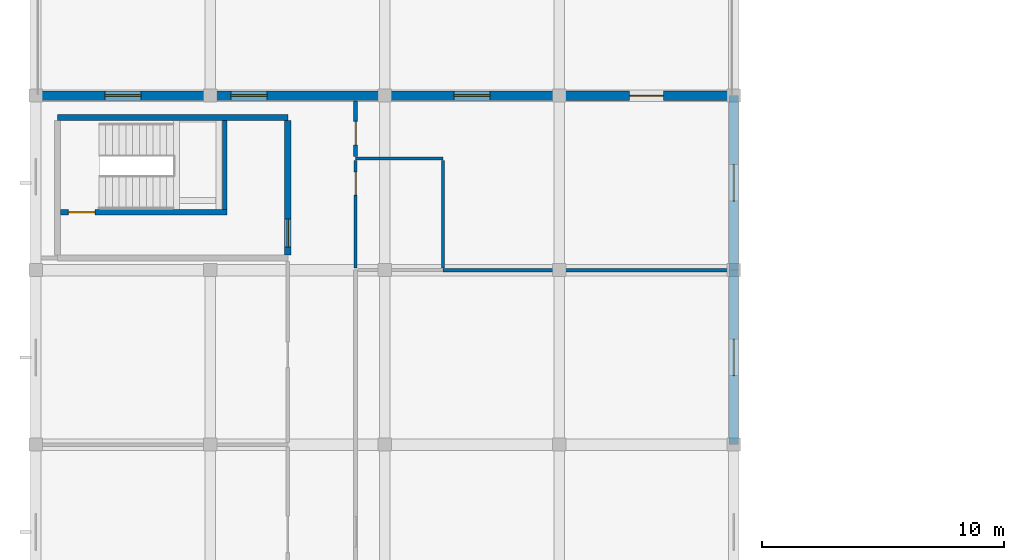
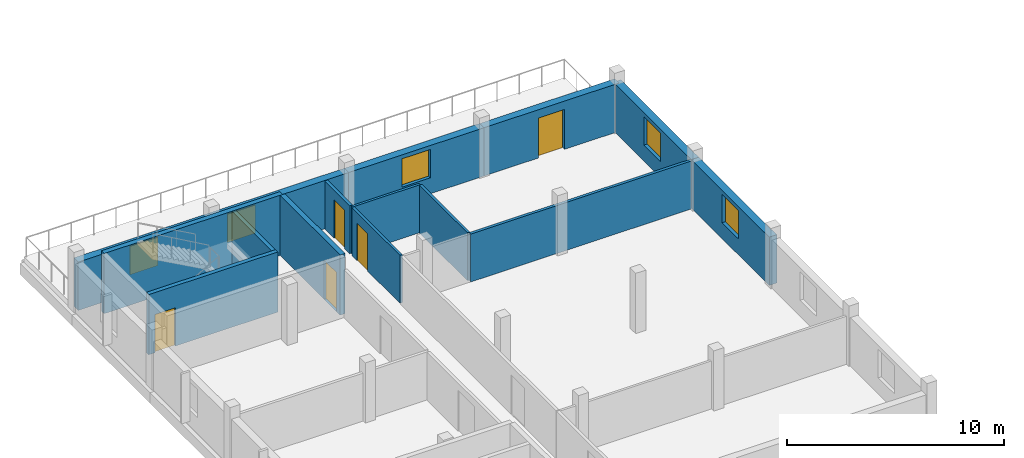
# One storey, part 73 of 84: 15 walls, 5 doors, 5 windows, 10 openings.
"""IFC4 building model written with IfcOpenShell, lengths in metres."""

import ifcopenshell
import ifcopenshell.guid

model = None  # the IFC model being written
_history = None  # IfcOwnerHistory: only IFC2X3 demands one
_inside = {}  # id of a spatial element -> (the spatial element, [elements in it])
_under = {}  # id of a project, library or spatial element -> (it, [spatial elements below it])
_declared = {}  # id of a project -> (the project, [libraries it declares])
_typed = {}  # id of a type object -> (the type object, [elements of that type])
_made_of = {}  # id of a material, layer set ... -> (it, [elements and type objects made of it])


def new_model(schema):
    """Start an empty IFC model of exactly this schema.

    Asked for "IFC4X3", IfcOpenShell would pick the latest addendum, in which some entities
    have other attributes; the version numbers below select the first issue.
    IFC2X3 requires an IfcOwnerHistory on every rooted entity: one is made here for all.
    """
    global model, _history
    if schema == "IFC4X3":
        model = ifcopenshell.file(schema_version=(4, 3, 0, 0))
    else:
        model = ifcopenshell.file(schema=schema)
    _inside.clear()
    _under.clear()
    _declared.clear()
    _typed.clear()
    _made_of.clear()
    _history = None
    if model.schema == "IFC2X3":
        org = make("IfcOrganization", Name="unknown")
        user = make(
            "IfcPersonAndOrganization",
            ThePerson=make("IfcPerson", FamilyName="unknown"),
            TheOrganization=org,
        )
        app = make(
            "IfcApplication",
            ApplicationDeveloper=org,
            Version="unknown",
            ApplicationFullName="unknown",
            ApplicationIdentifier="unknown",
        )
        _history = make(
            "IfcOwnerHistory",
            OwningUser=user,
            OwningApplication=app,
            ChangeAction="ADDED",
            CreationDate=0,
        )
    return model


def make(cls, **values):
    """One entity of the class cls with the attributes given. An attribute that is None is left unset."""
    return model.create_entity(
        cls, **{name: value for name, value in values.items() if value is not None}
    )


def rooted(cls, **values):
    """An entity with a GlobalId (a new one), such as an element, a storey or a relation."""
    return make(cls, GlobalId=ifcopenshell.guid.new(), OwnerHistory=_history, **values)


def si_unit(unit_type, name, prefix=None):
    """IfcSIUnit, for example si_unit("LENGTHUNIT", "METRE", prefix="MILLI")."""
    return make("IfcSIUnit", UnitType=unit_type, Prefix=prefix, Name=name)


def assignment(units):
    """IfcUnitAssignment: the units of a project."""
    return None if units is None else make("IfcUnitAssignment", Units=units)


def point(xyz):
    """IfcCartesianPoint."""
    return None if xyz is None else make("IfcCartesianPoint", Coordinates=xyz)


def direction(xyz):
    """IfcDirection."""
    return None if xyz is None else make("IfcDirection", DirectionRatios=xyz)


def frame(location, z_axis=None, x_axis=None):
    """IfcAxis2Placement3D, a coordinate frame: its origin and axes. An axis left out is left unset."""
    return make(
        "IfcAxis2Placement3D",
        Location=point(location),
        Axis=direction(z_axis),
        RefDirection=direction(x_axis),
    )


def frame_2d(location, x_axis=None):
    """IfcAxis2Placement2D, a coordinate frame in the plane: its origin and x axis."""
    return make(
        "IfcAxis2Placement2D", Location=point(location), RefDirection=direction(x_axis)
    )


def origin():
    """The frame at (0, 0, 0) with its axes left unset."""
    return frame((0.0, 0.0, 0.0))


def place(relative_to, where):
    """IfcLocalPlacement: puts the frame where relative to a parent placement (None: the world)."""
    return make(
        "IfcLocalPlacement", PlacementRelTo=relative_to, RelativePlacement=where
    )


def context(
    kind, dimensions, precision=None, world=None, true_north=None, identifier=None
):
    """IfcGeometricRepresentationContext, for example the 3D "Model" context."""
    return make(
        "IfcGeometricRepresentationContext",
        ContextIdentifier=identifier,
        ContextType=kind,
        CoordinateSpaceDimension=dimensions,
        Precision=precision,
        WorldCoordinateSystem=world,
        TrueNorth=true_north,
    )


def subcontext(parent, identifier, kind, view, scale=None):
    """IfcGeometricRepresentationSubContext, for example "Body" below "Model"."""
    return make(
        "IfcGeometricRepresentationSubContext",
        ContextIdentifier=identifier,
        ContextType=kind,
        ParentContext=parent,
        TargetScale=scale,
        TargetView=view,
    )


def project(units=None, contexts=None):
    """IfcProject with its units and contexts."""
    return rooted(
        "IfcProject",
        Name="project",
        RepresentationContexts=contexts,
        UnitsInContext=assignment(units),
    )


def spatial(cls, under=None, at=None, **own):
    """A site, building, storey or space (cls), placed at a placement, below another one or the project."""
    s = rooted(cls, ObjectPlacement=at, **own)
    if under is not None:
        _under.setdefault(under.id(), (under, []))[1].append(s)
    return s


def profile(cls, at=None, kind="AREA", **sizes):
    """A parametric profile (cls). Its sizes go by their IFC names, for example OverallWidth=200.0."""
    return make(cls, ProfileType=kind, Position=at, **sizes)


def rectangle(**sizes):
    """IfcRectangleProfileDef."""
    return profile("IfcRectangleProfileDef", **sizes)


def extrude(swept, where, along, depth):
    """IfcExtrudedAreaSolid: the profile swept, set in the frame where, extruded along a direction by depth."""
    return make(
        "IfcExtrudedAreaSolid",
        SweptArea=swept,
        Position=where,
        ExtrudedDirection=direction(along),
        Depth=depth,
    )


def shape(context_of_items, identifier, shape_type, items):
    """IfcShapeRepresentation: the items that make up one representation, for example the "Body"."""
    return make(
        "IfcShapeRepresentation",
        ContextOfItems=context_of_items,
        RepresentationIdentifier=identifier,
        RepresentationType=shape_type,
        Items=items,
    )


def material(Name=None, Category=None):
    """IfcMaterial."""
    return make("IfcMaterial", Name=Name, Category=Category)


def layer(
    of_material, thickness, ventilated=None, Name=None, Category=None, Priority=None
):
    """IfcMaterialLayer: one layer of a wall or slab, of a material (None: an air gap)."""
    return make(
        "IfcMaterialLayer",
        Material=of_material,
        LayerThickness=thickness,
        IsVentilated=ventilated,
        Name=Name,
        Category=Category,
        Priority=Priority,
    )


def layer_set(layers, Name=None):
    """IfcMaterialLayerSet."""
    return make("IfcMaterialLayerSet", MaterialLayers=layers, LayerSetName=Name)


def made_of(thing, what):
    """Note that an element or type object is made of a material, layer set ...; save() writes the relation."""
    if what is not None:
        _made_of.setdefault(what.id(), (what, []))[1].append(thing)
    return thing


def type_object(cls, material=None, **own):
    """A type object (cls), such as IfcWallType, which elements share."""
    return made_of(rooted(cls, **own), material)


def element(
    cls,
    number,
    at=None,
    inside=None,
    cuts=None,
    type_object=None,
    material=None,
    context=None,
    identifier="Body",
    shape_type=None,
    held_by="IfcProductDefinitionShape",
    body=None,
    shapes=None,
    **own,
):
    """One element of the class cls, such as IfcWall. Its Tag is "e" and its number.

    at: its placement. inside: the storey or other place that contains it. cuts: it is an
    opening in that element (IfcRelVoidsElement). A single representation is given by context,
    identifier, shape_type and body (its items); several are given by shapes. held_by: the class
    of the entity that holds the representations. save() writes the other relations.
    """
    e = rooted(cls, Tag="e%d" % number, ObjectPlacement=at, **own)
    if body is not None:
        shapes = [shape(context, identifier, shape_type, body)]
    if shapes is not None:
        e.Representation = make(held_by, Representations=shapes)
    if inside is not None:
        _inside.setdefault(inside.id(), (inside, []))[1].append(e)
    if cuts is not None:
        rooted(
            "IfcRelVoidsElement", RelatingBuildingElement=cuts, RelatedOpeningElement=e
        )
    if type_object is not None:
        _typed.setdefault(type_object.id(), (type_object, []))[1].append(e)
    return made_of(e, material)


def fill(opening, filler):
    """IfcRelFillsElement: the door or window that sits in an opening."""
    return rooted(
        "IfcRelFillsElement",
        RelatingOpeningElement=opening,
        RelatedBuildingElement=filler,
    )


def aggregate(whole, parts):
    """IfcRelAggregates: a whole, such as a stair, and the parts it consists of."""
    return rooted("IfcRelAggregates", RelatingObject=whole, RelatedObjects=parts)


def save(model, path):
    """Write the relations noted so far, then the file.

    IfcRelAggregates (storeys below a building ...), IfcRelContainedInSpatialStructure (elements
    in a storey), IfcRelDefinesByType, IfcRelAssociatesMaterial and IfcRelDeclares: one each for
    every whole, place, type object, material and project.
    """
    for whole, parts in _under.values():
        aggregate(whole, parts)
    for where, things in _inside.values():
        rooted(
            "IfcRelContainedInSpatialStructure",
            RelatedElements=things,
            RelatingStructure=where,
        )
    for kind, things in _typed.values():
        rooted("IfcRelDefinesByType", RelatedObjects=things, RelatingType=kind)
    for what, things in _made_of.values():
        rooted("IfcRelAssociatesMaterial", RelatedObjects=things, RelatingMaterial=what)
    for by, libraries in _declared.values():
        rooted("IfcRelDeclares", RelatingContext=by, RelatedDefinitions=libraries)
    model.write(path)


model = new_model("IFC4")

# Units and contexts
model_context = context("Model", 3, precision=1e-05, world=origin(), true_north=direction((0.0, 1.0)))
body_context = subcontext(model_context, "Body", "Model", "MODEL_VIEW")
ifc_project = project(units=[si_unit("LENGTHUNIT", "METRE"), si_unit("AREAUNIT", "SQUARE_METRE"), si_unit("VOLUMEUNIT", "CUBIC_METRE"), si_unit("PLANEANGLEUNIT", "RADIAN"), si_unit("MASSUNIT", "GRAM", prefix="KILO")], contexts=[model_context])

# Site, building, storey
site_placement = place(None, origin())
site = spatial("IfcSite", under=ifc_project, at=site_placement, CompositionType="ELEMENT")
building_placement = place(site_placement, origin())
building = spatial("IfcBuilding", under=site, at=building_placement, Name="Zornivar Specialist Clinic", CompositionType="ELEMENT")
storey_placement = place(building_placement, frame((0.0, 0.0, 12.300048828125)))
storey = spatial("IfcBuildingStorey", under=building, at=storey_placement, Name="L03", CompositionType="ELEMENT", Elevation=12.300048828125)

# Wall, opening, window
ifc_material_1 = material(Name="Masonry Hygienic Insulated Procedure Wing Wall", Category="masonry")
ifc_layer_1 = layer(ifc_material_1, 0.39990234375)
ifc_layer_set_1 = layer_set([ifc_layer_1], Name="Masonry Hygienic Insulated Procedure Wing Wall")
wall_type_1 = type_object("IfcWallType", Name="EW-PROC-400", PredefinedType="SOLIDWALL", material=ifc_layer_set_1)
wall_1_placement = place(storey_placement, frame((28.800048828125, 93.60009765625, 0.0), z_axis=(0.0, 0.0, 1.0), x_axis=(0.0, 1.0, 0.0)))
wall_1 = element("IfcWall", 1, at=wall_1_placement, inside=storey, type_object=wall_type_1, Name="ew:V5:L03:06", PredefinedType="SOLIDWALL", context=body_context, shape_type="SweptSolid", body=[
    extrude(rectangle(XDim=7.199951171875, YDim=0.39990234375, at=frame_2d((3.60009765625, 0.0))), origin(), (0.0, 0.0, 1.0), 2.719970703125),
])
opening_1_placement = place(wall_1_placement, frame((2.85009765625, 0.0, 0.89990234375)))
opening_1 = element("IfcOpeningElement", 2, at=opening_1_placement, cuts=wall_1, Name="Opening W-18", PredefinedType="OPENING", context=body_context, shape_type="SweptSolid", body=[
    extrude(rectangle(XDim=1.5, YDim=1.60009765625, at=frame_2d((0.75, 0.800048828125))), frame((0.0, 0.2099609375, 0.0), z_axis=(0.0, -1.0, 0.0), x_axis=(1.0, 0.0, 0.0)), (0.0, 0.0, 1.0), 0.419921875),
])
ifc_material_2 = material(Name="Triple-Glazed Aluminium-Timber Window Glass", Category="wood")
window_type = type_object("IfcWindowType", Name="WIN-PROC-UPPER-1500x1600", PartitioningType="SINGLE_PANEL", PredefinedType="WINDOW", material=ifc_material_2)
window_1_placement = place(opening_1_placement, origin())
window_1 = element("IfcWindow", 3, at=window_1_placement, inside=storey, type_object=window_type, Name="win:V5:L03:06", OverallHeight=1.60009765625, OverallWidth=1.5, PartitioningType="SINGLE_PANEL", PredefinedType="WINDOW", context=body_context, shape_type="SweptSolid", body=[
    extrude(rectangle(XDim=1.5, YDim=1.60009765625, at=frame_2d((0.75, 0.800048828125))), frame((0.0, 0.030029296875, 0.0), z_axis=(0.0, -1.0, 0.0), x_axis=(1.0, 0.0, 0.0)), (0.0, 0.0, 1.0), 0.06005859375),
])
fill(opening_1, window_1)

wall_2_placement = place(storey_placement, frame((28.800048828125, 100.800048828125, 0.0), z_axis=(0.0, 0.0, 1.0), x_axis=(0.0, 1.0, 0.0)))
wall_2 = element("IfcWall", 4, at=wall_2_placement, inside=storey, type_object=wall_type_1, Name="ew:V5:L03:07", PredefinedType="SOLIDWALL", context=body_context, shape_type="SweptSolid", body=[
    extrude(rectangle(XDim=7.199951171875, YDim=0.39990234375, at=frame_2d((3.60009765625, 0.0))), origin(), (0.0, 0.0, 1.0), 2.719970703125),
])
opening_2_placement = place(wall_2_placement, frame((2.85009765625, 0.0, 0.89990234375)))
opening_2 = element("IfcOpeningElement", 5, at=opening_2_placement, cuts=wall_2, Name="Opening W-18", PredefinedType="OPENING", context=body_context, shape_type="SweptSolid", body=[
    extrude(rectangle(XDim=1.5, YDim=1.60009765625, at=frame_2d((0.75, 0.800048828125))), frame((0.0, 0.2099609375, 0.0), z_axis=(0.0, -1.0, 0.0), x_axis=(1.0, 0.0, 0.0)), (0.0, 0.0, 1.0), 0.419921875),
])
window_2_placement = place(opening_2_placement, origin())
window_2 = element("IfcWindow", 6, at=window_2_placement, inside=storey, type_object=window_type, Name="win:V5:L03:07", OverallHeight=1.60009765625, OverallWidth=1.5, PartitioningType="SINGLE_PANEL", PredefinedType="WINDOW", context=body_context, shape_type="SweptSolid", body=[
    extrude(rectangle(XDim=1.5, YDim=1.60009765625, at=frame_2d((0.75, 0.800048828125))), frame((0.0, 0.030029296875, 0.0), z_axis=(0.0, -1.0, 0.0), x_axis=(1.0, 0.0, 0.0)), (0.0, 0.0, 1.0), 0.06005859375),
])
fill(opening_2, window_2)

# Wall, opening, door
wall_3_placement = place(storey_placement, frame((28.800048828125, 108.0, 0.0), z_axis=(0.0, 0.0, 1.0), x_axis=(-1.0, 0.0, 0.0)))
wall_3 = element("IfcWall", 7, at=wall_3_placement, inside=storey, type_object=wall_type_1, Name="ew:V5:L03:08", PredefinedType="SOLIDWALL", context=body_context, shape_type="SweptSolid", body=[
    extrude(rectangle(XDim=7.199951171875, YDim=0.39990234375, at=frame_2d((3.60009765625, 0.0))), origin(), (0.0, 0.0, 1.0), 2.719970703125),
])
opening_3_placement = place(wall_3_placement, frame((2.89990234375, 0.0, 0.0)))
opening_3 = element("IfcOpeningElement", 8, at=opening_3_placement, cuts=wall_3, Name="Opening TD-01", PredefinedType="OPENING", context=body_context, shape_type="SweptSolid", body=[
    extrude(rectangle(XDim=1.39990234375, YDim=2.25, at=frame_2d((0.699951171875, 1.125))), frame((0.0, 0.2099609375, 0.0), z_axis=(0.0, -1.0, 0.0), x_axis=(1.0, 0.0, 0.0)), (0.0, 0.0, 1.0), 0.419921875),
])
ifc_material_3 = material(Name="Thermally Broken Glazed Aluminium Door", Category="aluminium")
door_type_1 = type_object("IfcDoorType", Name="TD-TERR-1400x2250", OperationType="NOTDEFINED", PredefinedType="DOOR", material=ifc_material_3)
door_1_placement = place(opening_3_placement, origin())
door_1 = element("IfcDoor", 9, at=door_1_placement, inside=storey, type_object=door_type_1, Name="door:V5:L03:terr:0", OperationType="SINGLE_SWING_RIGHT", OverallHeight=2.25, OverallWidth=1.39990234375, PredefinedType="DOOR", context=body_context, shape_type="SweptSolid", body=[
    extrude(rectangle(XDim=1.39990234375, YDim=2.25, at=frame_2d((0.699951171875, 1.125))), frame((0.0, 0.02490234375, 0.0), z_axis=(0.0, -1.0, 0.0), x_axis=(1.0, 0.0, 0.0)), (0.0, 0.0, 1.0), 0.050048828125),
])
fill(opening_3, door_1)

# Wall, opening, window
wall_4_placement = place(storey_placement, frame((21.60009765625, 108.0, 0.0), z_axis=(0.0, 0.0, 1.0), x_axis=(-1.0, 0.0, 0.0)))
wall_4 = element("IfcWall", 10, at=wall_4_placement, inside=storey, type_object=wall_type_1, Name="ew:V5:L03:09", PredefinedType="SOLIDWALL", context=body_context, shape_type="SweptSolid", body=[
    extrude(rectangle(XDim=7.2001953125, YDim=0.39990234375, at=frame_2d((3.60009765625, 0.0))), origin(), (0.0, 0.0, 1.0), 2.719970703125),
])
opening_4_placement = place(wall_4_placement, frame((2.85009765625, 0.0, 0.89990234375)))
opening_4 = element("IfcOpeningElement", 11, at=opening_4_placement, cuts=wall_4, Name="Opening W-18", PredefinedType="OPENING", context=body_context, shape_type="SweptSolid", body=[
    extrude(rectangle(XDim=1.5, YDim=1.60009765625, at=frame_2d((0.75, 0.800048828125))), frame((0.0, 0.2099609375, 0.0), z_axis=(0.0, -1.0, 0.0), x_axis=(1.0, 0.0, 0.0)), (0.0, 0.0, 1.0), 0.419921875),
])
window_3_placement = place(opening_4_placement, origin())
window_3 = element("IfcWindow", 12, at=window_3_placement, inside=storey, type_object=window_type, Name="win:V5:L03:09", OverallHeight=1.60009765625, OverallWidth=1.5, PartitioningType="SINGLE_PANEL", PredefinedType="WINDOW", context=body_context, shape_type="SweptSolid", body=[
    extrude(rectangle(XDim=1.5, YDim=1.60009765625, at=frame_2d((0.75, 0.800048828125))), frame((0.0, 0.030029296875, 0.0), z_axis=(0.0, -1.0, 0.0), x_axis=(1.0, 0.0, 0.0)), (0.0, 0.0, 1.0), 0.06005859375),
])
fill(opening_4, window_3)

wall_5_placement = place(storey_placement, frame((14.39990234375, 108.0, 0.0), z_axis=(0.0, 0.0, 1.0), x_axis=(-1.0, 0.0, 0.0)))
wall_5 = element("IfcWall", 13, at=wall_5_placement, inside=storey, type_object=wall_type_1, Name="ew:V5:L03:10", PredefinedType="SOLIDWALL", context=body_context, shape_type="SweptSolid", body=[
    extrude(rectangle(XDim=7.199951171875, YDim=0.39990234375, at=frame_2d((3.60009765625, 0.0))), origin(), (0.0, 0.0, 1.0), 2.719970703125),
])
opening_5_placement = place(wall_5_placement, frame((4.85009765625, 0.0, 0.89990234375)))
opening_5 = element("IfcOpeningElement", 14, at=opening_5_placement, cuts=wall_5, Name="Opening W-18", PredefinedType="OPENING", context=body_context, shape_type="SweptSolid", body=[
    extrude(rectangle(XDim=1.5, YDim=1.60009765625, at=frame_2d((0.75, 0.800048828125))), frame((0.0, 0.2099609375, 0.0), z_axis=(0.0, -1.0, 0.0), x_axis=(1.0, 0.0, 0.0)), (0.0, 0.0, 1.0), 0.419921875),
])
window_4_placement = place(opening_5_placement, origin())
window_4 = element("IfcWindow", 15, at=window_4_placement, inside=storey, type_object=window_type, Name="win:V5:L03:10", OverallHeight=1.60009765625, OverallWidth=1.5, PartitioningType="SINGLE_PANEL", PredefinedType="WINDOW", context=body_context, shape_type="SweptSolid", body=[
    extrude(rectangle(XDim=1.5, YDim=1.60009765625, at=frame_2d((0.75, 0.800048828125))), frame((0.0, 0.030029296875, 0.0), z_axis=(0.0, -1.0, 0.0), x_axis=(1.0, 0.0, 0.0)), (0.0, 0.0, 1.0), 0.06005859375),
])
fill(opening_5, window_4)

wall_6_placement = place(storey_placement, frame((7.199951171875, 108.0, 0.0), z_axis=(0.0, 0.0, 1.0), x_axis=(-1.0, 0.0, 0.0)))
wall_6 = element("IfcWall", 16, at=wall_6_placement, inside=storey, type_object=wall_type_1, Name="ew:V5:L03:11", PredefinedType="SOLIDWALL", context=body_context, shape_type="SweptSolid", body=[
    extrude(rectangle(XDim=7.199951171875, YDim=0.39990234375, at=frame_2d((3.60009765625, 0.0))), origin(), (0.0, 0.0, 1.0), 2.719970703125),
])
opening_6_placement = place(wall_6_placement, frame((2.85009765625, 0.0, 0.89990234375)))
opening_6 = element("IfcOpeningElement", 17, at=opening_6_placement, cuts=wall_6, Name="Opening W-18", PredefinedType="OPENING", context=body_context, shape_type="SweptSolid", body=[
    extrude(rectangle(XDim=1.5, YDim=1.60009765625, at=frame_2d((0.75, 0.800048828125))), frame((0.0, 0.2099609375, 0.0), z_axis=(0.0, -1.0, 0.0), x_axis=(1.0, 0.0, 0.0)), (0.0, 0.0, 1.0), 0.419921875),
])
window_5_placement = place(opening_6_placement, origin())
window_5 = element("IfcWindow", 18, at=window_5_placement, inside=storey, type_object=window_type, Name="win:V5:L03:11", OverallHeight=1.60009765625, OverallWidth=1.5, PartitioningType="SINGLE_PANEL", PredefinedType="WINDOW", context=body_context, shape_type="SweptSolid", body=[
    extrude(rectangle(XDim=1.5, YDim=1.60009765625, at=frame_2d((0.75, 0.800048828125))), frame((0.0, 0.030029296875, 0.0), z_axis=(0.0, -1.0, 0.0), x_axis=(1.0, 0.0, 0.0)), (0.0, 0.0, 1.0), 0.06005859375),
])
fill(opening_6, window_5)

# Wall, opening, door
ifc_material_4 = material(Name="Gypsum Fire-Rated Double Stud Partition")
ifc_layer_2 = layer(ifc_material_4, 0.159912109375)
ifc_layer_set_2 = layer_set([ifc_layer_2], Name="Gypsum Fire-Rated Double Stud Partition")
wall_type_2 = type_object("IfcWallType", Name="IW-CORR-EI60-160", PredefinedType="PARTITIONING", material=ifc_layer_set_2)
wall_7_placement = place(storey_placement, frame((13.199951171875, 105.47900390625, 0.0), z_axis=(0.0, 0.0, 1.0), x_axis=(0.0, 1.0, 0.0)))
wall_7 = element("IfcWall", 19, at=wall_7_placement, inside=storey, type_object=wall_type_2, Name="iw:L03:093", PredefinedType="PARTITIONING", context=body_context, shape_type="SweptSolid", body=[
    extrude(rectangle(XDim=2.305908203125, YDim=0.159912109375, at=frame_2d((1.15283203125, 0.0))), origin(), (0.0, 0.0, 1.0), 2.699951171875),
])
opening_7_placement = place(wall_7_placement, frame((0.47998046875, 0.0, 0.0)))
opening_7 = element("IfcOpeningElement", 20, at=opening_7_placement, cuts=wall_7, Name="Opening ID-09", PredefinedType="OPENING", context=body_context, shape_type="SweptSolid", body=[
    extrude(rectangle(XDim=0.97998046875, YDim=2.14990234375, at=frame_2d((0.489990234375, 1.074951171875))), frame((0.0, 0.08984375, 0.0), z_axis=(0.0, -1.0, 0.0), x_axis=(1.0, 0.0, 0.0)), (0.0, 0.0, 1.0), 0.179931640625),
])
ifc_material_5 = material(Name="Solid-Core Hygienic Laminate Timber Door", Category="wood")
door_type_2 = type_object("IfcDoorType", Name="ID-STAFF-0980x2150", OperationType="NOTDEFINED", PredefinedType="DOOR", material=ifc_material_5)
door_2_placement = place(opening_7_placement, origin())
door_2 = element("IfcDoor", 21, at=door_2_placement, inside=storey, type_object=door_type_2, Name="door:space:V5:L03:rm:04b", OperationType="SINGLE_SWING_RIGHT", OverallHeight=2.14990234375, OverallWidth=0.97998046875, PredefinedType="DOOR", context=body_context, shape_type="SweptSolid", body=[
    extrude(rectangle(XDim=0.97998046875, YDim=2.14990234375, at=frame_2d((0.489990234375, 1.074951171875))), frame((0.0, 0.02490234375, 0.0), z_axis=(0.0, -1.0, 0.0), x_axis=(1.0, 0.0, 0.0)), (0.0, 0.0, 1.0), 0.050048828125),
])
fill(opening_7, door_2)

# Walls
ifc_material_6 = material(Name="Hygienic Lead-Free Procedure Partition")
ifc_layer_3 = layer(ifc_material_6, 0.14990234375)
ifc_layer_set_3 = layer_set([ifc_layer_3], Name="Hygienic Lead-Free Procedure Partition")
wall_type_3 = type_object("IfcWallType", Name="IW-PROC-150", PredefinedType="PARTITIONING", material=ifc_layer_set_3)
wall_8_placement = place(storey_placement, frame((16.81201171875, 100.800048828125, 0.0), z_axis=(0.0, 0.0, 1.0), x_axis=(1.0, 0.0, 0.0)))
element("IfcWall", 22, at=wall_8_placement, inside=storey, type_object=wall_type_3, Name="iw:L03:089", PredefinedType="PARTITIONING", context=body_context, shape_type="SweptSolid", body=[
    extrude(rectangle(XDim=11.77294921875, YDim=0.14990234375, at=frame_2d((5.886474609375, 0.0))), origin(), (0.0, 0.0, 1.0), 2.699951171875),
])
ifc_material_7 = material(Name="Moisture-Resistant Sanitary Partition")
ifc_layer_4 = layer(ifc_material_7, 0.1298828125)
ifc_layer_set_4 = layer_set([ifc_layer_4], Name="Moisture-Resistant Sanitary Partition")
wall_type_4 = type_object("IfcWallType", Name="IW-WET-130", PredefinedType="PARTITIONING", material=ifc_layer_set_4)
wall_9_placement = place(storey_placement, frame((13.199951171875, 105.39990234375, 0.0), z_axis=(0.0, 0.0, 1.0), x_axis=(1.0, 0.0, 0.0)))
element("IfcWall", 23, at=wall_9_placement, inside=storey, type_object=wall_type_4, Name="iw:L03:090", PredefinedType="PARTITIONING", context=body_context, shape_type="SweptSolid", body=[
    extrude(rectangle(XDim=3.60009765625, YDim=0.1298828125, at=frame_2d((1.800048828125, 0.0))), origin(), (0.0, 0.0, 1.0), 2.699951171875),
])
wall_10_placement = place(storey_placement, frame((16.800048828125, 105.321044921875, 0.0), z_axis=(0.0, 0.0, 1.0), x_axis=(0.0, -1.0, 0.0)))
element("IfcWall", 24, at=wall_10_placement, inside=storey, type_object=wall_type_4, Name="iw:L03:091", PredefinedType="PARTITIONING", context=body_context, shape_type="SweptSolid", body=[
    extrude(rectangle(XDim=4.43212890625, YDim=0.1298828125, at=frame_2d((2.216064453125, 0.0))), origin(), (0.0, 0.0, 1.0), 2.699951171875),
])

# Wall, opening, door
wall_11_placement = place(storey_placement, frame((13.199951171875, 100.87890625, 0.0), z_axis=(0.0, 0.0, 1.0), x_axis=(0.0, 1.0, 0.0)))
wall_11 = element("IfcWall", 25, at=wall_11_placement, inside=storey, type_object=wall_type_4, Name="iw:L03:092", PredefinedType="PARTITIONING", context=body_context, shape_type="SweptSolid", body=[
    extrude(rectangle(XDim=4.442138671875, YDim=0.1298828125, at=frame_2d((2.22119140625, 0.0))), origin(), (0.0, 0.0, 1.0), 2.699951171875),
])
opening_8_placement = place(wall_11_placement, frame((3.011962890625, 0.0, 0.0)))
opening_8 = element("IfcOpeningElement", 26, at=opening_8_placement, cuts=wall_11, Name="Opening ID-07", PredefinedType="OPENING", context=body_context, shape_type="SweptSolid", body=[
    extrude(rectangle(XDim=0.949951171875, YDim=2.10009765625, at=frame_2d((0.47509765625, 1.050048828125))), frame((0.0, 0.074951171875, 0.0), z_axis=(0.0, -1.0, 0.0), x_axis=(1.0, 0.0, 0.0)), (0.0, 0.0, 1.0), 0.14990234375),
])
ifc_material_8 = material(Name="Solid-Core Hygienic Laminate Timber Door", Category="wood")
door_type_3 = type_object("IfcDoorType", Name="ID-WC-ACC-0950x2100", OperationType="NOTDEFINED", PredefinedType="DOOR", material=ifc_material_8)
door_3_placement = place(opening_8_placement, origin())
door_3 = element("IfcDoor", 27, at=door_3_placement, inside=storey, type_object=door_type_3, Name="door:space:V5:L03:rm:04", OperationType="SINGLE_SWING_LEFT", OverallHeight=2.10009765625, OverallWidth=0.949951171875, PredefinedType="DOOR", context=body_context, shape_type="SweptSolid", body=[
    extrude(rectangle(XDim=0.949951171875, YDim=2.10009765625, at=frame_2d((0.47509765625, 1.050048828125))), frame((0.0, 0.02490234375, 0.0), z_axis=(0.0, -1.0, 0.0), x_axis=(1.0, 0.0, 0.0)), (0.0, 0.0, 1.0), 0.050048828125),
])
fill(opening_8, door_3)

ifc_material_9 = material(Name="Concrete C35/45", Category="concrete")
ifc_layer_5 = layer(ifc_material_9, 0.260009765625)
ifc_layer_set_5 = layer_set([ifc_layer_5], Name="Concrete C35/45")
wall_type_5 = type_object("IfcWallType", Name="SW-CORE-260", PredefinedType="SHEAR", material=ifc_layer_set_5)
wall_12_placement = place(storey_placement, frame((10.39990234375, 101.429931640625, 0.0), z_axis=(0.0, 0.0, 1.0), x_axis=(0.0, 1.0, 0.0)))
wall_12 = element("IfcWall", 28, at=wall_12_placement, inside=storey, type_object=wall_type_5, Name="sw:C8:L03:w1", PredefinedType="SHEAR", context=body_context, shape_type="SweptSolid", body=[
    extrude(rectangle(XDim=5.5400390625, YDim=0.260009765625, at=frame_2d((2.77001953125, 0.0))), origin(), (0.0, 0.0, 1.0), 3.389892578125),
])
opening_9_placement = place(wall_12_placement, frame((0.320068359375, 0.0, 0.0)))
opening_9 = element("IfcOpeningElement", 29, at=opening_9_placement, cuts=wall_12, Name="Opening FD-03", PredefinedType="OPENING", context=body_context, shape_type="SweptSolid", body=[
    extrude(rectangle(XDim=1.14990234375, YDim=2.199951171875, at=frame_2d((0.574951171875, 1.10009765625))), frame((0.0, 0.139892578125, 0.0), z_axis=(0.0, -1.0, 0.0), x_axis=(1.0, 0.0, 0.0)), (0.0, 0.0, 1.0), 0.280029296875),
])
ifc_material_10 = material(Name="Solid-Core Hygienic Laminate Timber Door", Category="wood")
door_type_4 = type_object("IfcDoorType", Name="FD-LOBBY-UPPER-1150x2200", OperationType="NOTDEFINED", PredefinedType="DOOR", material=ifc_material_10)
door_4_placement = place(opening_9_placement, origin())
door_4 = element("IfcDoor", 30, at=door_4_placement, inside=storey, type_object=door_type_4, Name="door:C8:L03:lob", OperationType="SINGLE_SWING_RIGHT", OverallHeight=2.199951171875, OverallWidth=1.14990234375, PredefinedType="DOOR", context=body_context, shape_type="SweptSolid", body=[
    extrude(rectangle(XDim=1.14990234375, YDim=2.199951171875, at=frame_2d((0.574951171875, 1.10009765625))), frame((0.0, 0.02490234375, 0.0), z_axis=(0.0, -1.0, 0.0), x_axis=(1.0, 0.0, 0.0)), (0.0, 0.0, 1.0), 0.050048828125),
])
fill(opening_9, door_4)

# Walls
wall_13_placement = place(storey_placement, frame((10.39990234375, 107.10009765625, 0.0), z_axis=(0.0, 0.0, 1.0), x_axis=(-1.0, 0.0, 0.0)))
element("IfcWall", 31, at=wall_13_placement, inside=storey, type_object=wall_type_5, Name="sw:C8:L03:w2", PredefinedType="SHEAR", context=body_context, shape_type="SweptSolid", body=[
    extrude(rectangle(XDim=9.5, YDim=0.260009765625, at=frame_2d((4.75, 0.0))), origin(), (0.0, 0.0, 1.0), 3.389892578125),
])
ifc_material_11 = material(Name="Concrete C30/37", Category="concrete")
ifc_layer_6 = layer(ifc_material_11, 0.199951171875)
ifc_layer_set_6 = layer_set([ifc_layer_6], Name="Concrete C30/37")
wall_type_6 = type_object("IfcWallType", Name="SW-LIFT-200", PredefinedType="SHEAR", material=ifc_layer_set_6)
wall_14_placement = place(storey_placement, frame((7.800048828125, 103.300048828125, 0.0), z_axis=(0.0, 0.0, 1.0), x_axis=(0.0, 1.0, 0.0)))
element("IfcWall", 32, at=wall_14_placement, inside=storey, type_object=wall_type_6, Name="sw:C8:L03:sdiv", PredefinedType="SHEAR", context=body_context, shape_type="SweptSolid", body=[
    extrude(rectangle(XDim=3.669921875, YDim=0.199951171875, at=frame_2d((1.8349609375, 0.0))), origin(), (0.0, 0.0, 1.0), 3.389892578125),
])

# Wall, opening, door
ifc_material_12 = material(Name="Concrete C30/37", Category="concrete")
ifc_layer_7 = layer(ifc_material_12, 0.219970703125)
ifc_layer_set_7 = layer_set([ifc_layer_7], Name="Concrete C30/37")
wall_type_7 = type_object("IfcWallType", Name="SW-SHAFT-220", PredefinedType="SHEAR", material=ifc_layer_set_7)
wall_15_placement = place(storey_placement, frame((1.030029296875, 103.18994140625, 0.0), z_axis=(0.0, 0.0, 1.0), x_axis=(1.0, 0.0, 0.0)))
wall_15 = element("IfcWall", 33, at=wall_15_placement, inside=storey, type_object=wall_type_7, Name="sw:C8:L03:stwall", PredefinedType="SHEAR", context=body_context, shape_type="SweptSolid", body=[
    extrude(rectangle(XDim=6.869873046875, YDim=0.219970703125, at=frame_2d((3.43505859375, 0.0))), origin(), (0.0, 0.0, 1.0), 3.389892578125),
])
opening_10_placement = place(wall_15_placement, frame((0.320068359375, 0.0, 0.0)))
opening_10 = element("IfcOpeningElement", 34, at=opening_10_placement, cuts=wall_15, Name="Opening FD-02", PredefinedType="OPENING", context=body_context, shape_type="SweptSolid", body=[
    extrude(rectangle(XDim=1.10009765625, YDim=2.14990234375, at=frame_2d((0.550048828125, 1.074951171875))), frame((0.0, 0.119873046875, 0.0), z_axis=(0.0, -1.0, 0.0), x_axis=(1.0, 0.0, 0.0)), (0.0, 0.0, 1.0), 0.239990234375),
])
ifc_material_13 = material(Name="Solid-Core Hygienic Laminate Timber Door", Category="wood")
door_type_5 = type_object("IfcDoorType", Name="FD-STAIR-1100x2150", OperationType="NOTDEFINED", PredefinedType="DOOR", material=ifc_material_13)
door_5_placement = place(opening_10_placement, origin())
door_5 = element("IfcDoor", 35, at=door_5_placement, inside=storey, type_object=door_type_5, Name="door:C8:L03:stair", OperationType="SINGLE_SWING_LEFT", OverallHeight=2.14990234375, OverallWidth=1.10009765625, PredefinedType="DOOR", context=body_context, shape_type="SweptSolid", body=[
    extrude(rectangle(XDim=1.10009765625, YDim=2.14990234375, at=frame_2d((0.550048828125, 1.074951171875))), frame((0.0, 0.02490234375, 0.0), z_axis=(0.0, -1.0, 0.0), x_axis=(1.0, 0.0, 0.0)), (0.0, 0.0, 1.0), 0.050048828125),
])
fill(opening_10, door_5)

save(model, "model.ifc")
